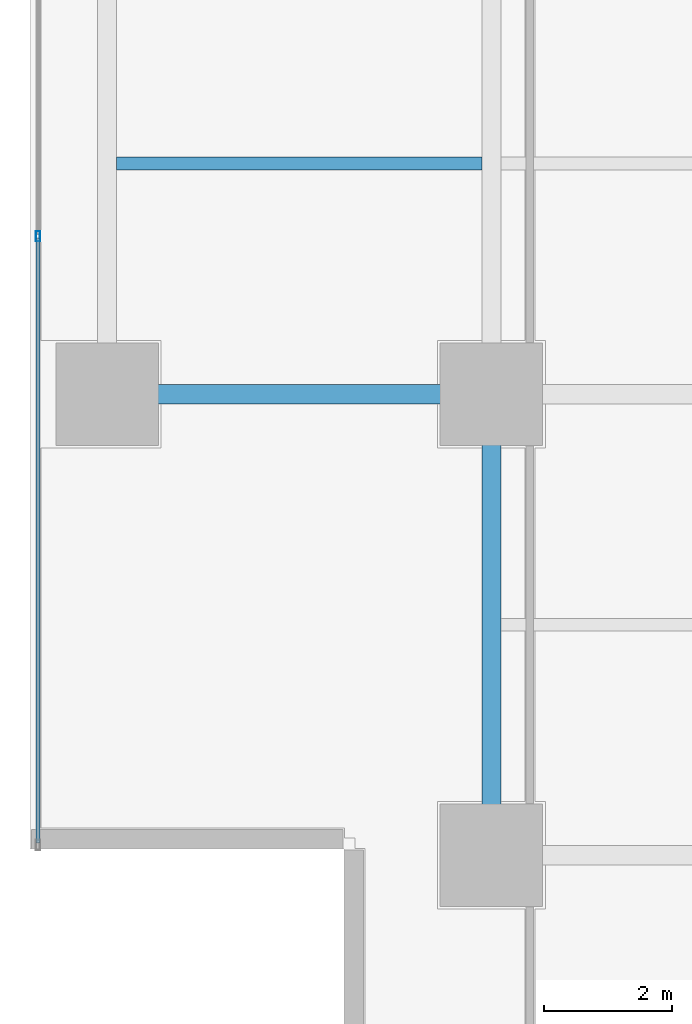
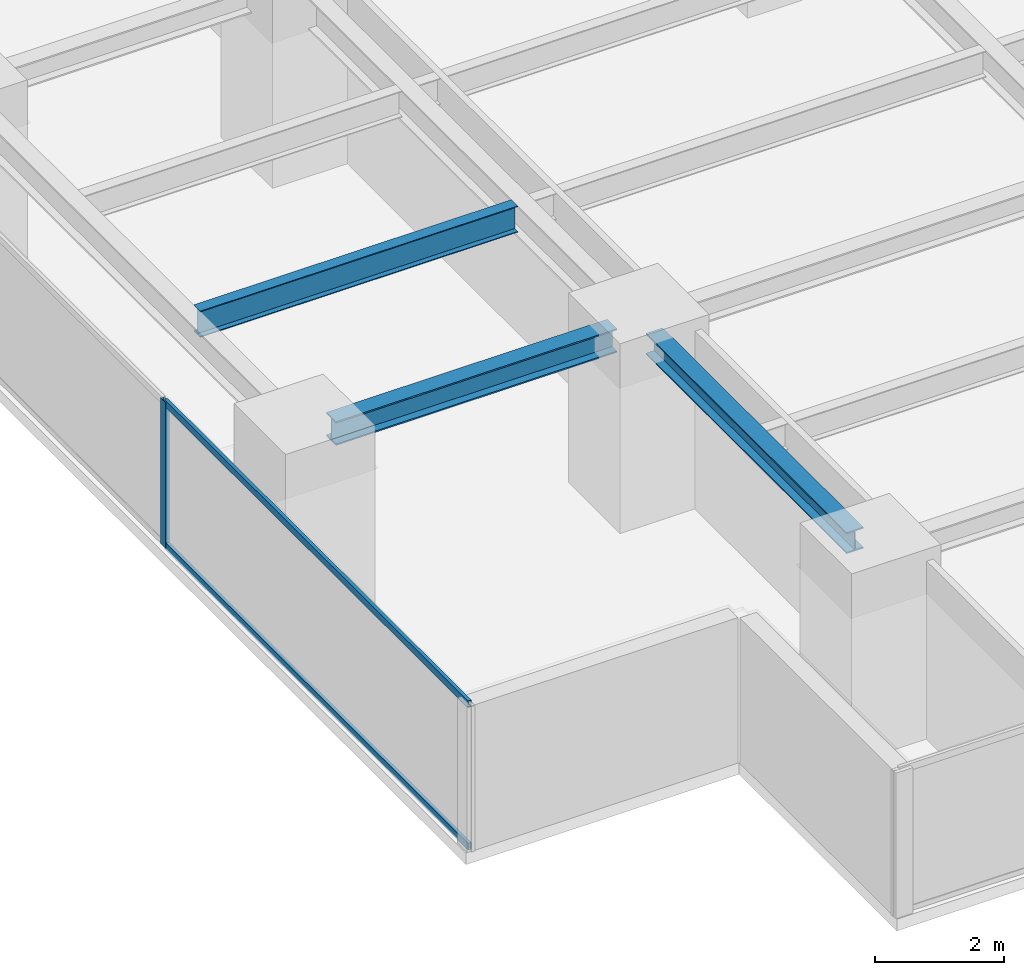
# One storey, part 3 of 27: 3 beams, 3 members, 1 element without a shape of its own.
"""IFC4 building model written with IfcOpenShell, lengths in metres."""

import ifcopenshell
import ifcopenshell.guid

model = None  # the IFC model being written
_history = None  # IfcOwnerHistory: only IFC2X3 demands one
_inside = {}  # id of a spatial element -> (the spatial element, [elements in it])
_under = {}  # id of a project, library or spatial element -> (it, [spatial elements below it])
_declared = {}  # id of a project -> (the project, [libraries it declares])
_typed = {}  # id of a type object -> (the type object, [elements of that type])
_made_of = {}  # id of a material, layer set ... -> (it, [elements and type objects made of it])


def new_model(schema):
    """Start an empty IFC model of exactly this schema.

    Asked for "IFC4X3", IfcOpenShell would pick the latest addendum, in which some entities
    have other attributes; the version numbers below select the first issue.
    IFC2X3 requires an IfcOwnerHistory on every rooted entity: one is made here for all.
    """
    global model, _history
    if schema == "IFC4X3":
        model = ifcopenshell.file(schema_version=(4, 3, 0, 0))
    else:
        model = ifcopenshell.file(schema=schema)
    _inside.clear()
    _under.clear()
    _declared.clear()
    _typed.clear()
    _made_of.clear()
    _history = None
    if model.schema == "IFC2X3":
        org = make("IfcOrganization", Name="unknown")
        user = make(
            "IfcPersonAndOrganization",
            ThePerson=make("IfcPerson", FamilyName="unknown"),
            TheOrganization=org,
        )
        app = make(
            "IfcApplication",
            ApplicationDeveloper=org,
            Version="unknown",
            ApplicationFullName="unknown",
            ApplicationIdentifier="unknown",
        )
        _history = make(
            "IfcOwnerHistory",
            OwningUser=user,
            OwningApplication=app,
            ChangeAction="ADDED",
            CreationDate=0,
        )
    return model


def make(cls, **values):
    """One entity of the class cls with the attributes given. An attribute that is None is left unset."""
    return model.create_entity(
        cls, **{name: value for name, value in values.items() if value is not None}
    )


def rooted(cls, **values):
    """An entity with a GlobalId (a new one), such as an element, a storey or a relation."""
    return make(cls, GlobalId=ifcopenshell.guid.new(), OwnerHistory=_history, **values)


def si_unit(unit_type, name, prefix=None):
    """IfcSIUnit, for example si_unit("LENGTHUNIT", "METRE", prefix="MILLI")."""
    return make("IfcSIUnit", UnitType=unit_type, Prefix=prefix, Name=name)


def assignment(units):
    """IfcUnitAssignment: the units of a project."""
    return None if units is None else make("IfcUnitAssignment", Units=units)


def point(xyz):
    """IfcCartesianPoint."""
    return None if xyz is None else make("IfcCartesianPoint", Coordinates=xyz)


def direction(xyz):
    """IfcDirection."""
    return None if xyz is None else make("IfcDirection", DirectionRatios=xyz)


def frame(location, z_axis=None, x_axis=None):
    """IfcAxis2Placement3D, a coordinate frame: its origin and axes. An axis left out is left unset."""
    return make(
        "IfcAxis2Placement3D",
        Location=point(location),
        Axis=direction(z_axis),
        RefDirection=direction(x_axis),
    )


def frame_2d(location, x_axis=None):
    """IfcAxis2Placement2D, a coordinate frame in the plane: its origin and x axis."""
    return make(
        "IfcAxis2Placement2D", Location=point(location), RefDirection=direction(x_axis)
    )


def origin():
    """The frame at (0, 0, 0) with its axes left unset."""
    return frame((0.0, 0.0, 0.0))


def origin_2d():
    """The frame at (0, 0) in the plane with its x axis left unset."""
    return frame_2d((0.0, 0.0))


def place(relative_to, where):
    """IfcLocalPlacement: puts the frame where relative to a parent placement (None: the world)."""
    return make(
        "IfcLocalPlacement", PlacementRelTo=relative_to, RelativePlacement=where
    )


def context(
    kind, dimensions, precision=None, world=None, true_north=None, identifier=None
):
    """IfcGeometricRepresentationContext, for example the 3D "Model" context."""
    return make(
        "IfcGeometricRepresentationContext",
        ContextIdentifier=identifier,
        ContextType=kind,
        CoordinateSpaceDimension=dimensions,
        Precision=precision,
        WorldCoordinateSystem=world,
        TrueNorth=true_north,
    )


def subcontext(parent, identifier, kind, view, scale=None):
    """IfcGeometricRepresentationSubContext, for example "Body" below "Model"."""
    return make(
        "IfcGeometricRepresentationSubContext",
        ContextIdentifier=identifier,
        ContextType=kind,
        ParentContext=parent,
        TargetScale=scale,
        TargetView=view,
    )


def project(units=None, contexts=None):
    """IfcProject with its units and contexts."""
    return rooted(
        "IfcProject",
        Name="project",
        RepresentationContexts=contexts,
        UnitsInContext=assignment(units),
    )


def spatial(cls, under=None, at=None, **own):
    """A site, building, storey or space (cls), placed at a placement, below another one or the project."""
    s = rooted(cls, ObjectPlacement=at, **own)
    if under is not None:
        _under.setdefault(under.id(), (under, []))[1].append(s)
    return s


def profile(cls, at=None, kind="AREA", **sizes):
    """A parametric profile (cls). Its sizes go by their IFC names, for example OverallWidth=200.0."""
    return make(cls, ProfileType=kind, Position=at, **sizes)


def hollow_rectangle(**sizes):
    """IfcRectangleHollowProfileDef."""
    return profile("IfcRectangleHollowProfileDef", **sizes)


def i_section(**sizes):
    """IfcIShapeProfileDef."""
    return profile("IfcIShapeProfileDef", **sizes)


def extrude(swept, where, along, depth):
    """IfcExtrudedAreaSolid: the profile swept, set in the frame where, extruded along a direction by depth."""
    return make(
        "IfcExtrudedAreaSolid",
        SweptArea=swept,
        Position=where,
        ExtrudedDirection=direction(along),
        Depth=depth,
    )


def shape(context_of_items, identifier, shape_type, items):
    """IfcShapeRepresentation: the items that make up one representation, for example the "Body"."""
    return make(
        "IfcShapeRepresentation",
        ContextOfItems=context_of_items,
        RepresentationIdentifier=identifier,
        RepresentationType=shape_type,
        Items=items,
    )


def source(mapping_origin, context_of_items, identifier, shape_type, items):
    """IfcRepresentationMap: a shape defined once, which mapped items show again and again."""
    return make(
        "IfcRepresentationMap",
        MappingOrigin=mapping_origin,
        MappedRepresentation=shape(context_of_items, identifier, shape_type, items),
    )


def transform(
    local_origin,
    x_axis=None,
    y_axis=None,
    z_axis=None,
    scale=None,
    scale2=None,
    scale3=None,
    uniform=True,
):
    """IfcCartesianTransformationOperator3D, or its non-uniform kind. x_axis, y_axis, z_axis: its Axis1, 2, 3."""
    if uniform:
        return make(
            "IfcCartesianTransformationOperator3D",
            Axis1=direction(x_axis),
            Axis2=direction(y_axis),
            LocalOrigin=point(local_origin),
            Scale=scale,
            Axis3=direction(z_axis),
        )
    return make(
        "IfcCartesianTransformationOperator3DnonUniform",
        Axis1=direction(x_axis),
        Axis2=direction(y_axis),
        LocalOrigin=point(local_origin),
        Scale=scale,
        Axis3=direction(z_axis),
        Scale2=scale2,
        Scale3=scale3,
    )


def mapped(mapping_source, mapping_target):
    """IfcMappedItem: shows the shape of a source again, moved by a transform."""
    return make(
        "IfcMappedItem", MappingSource=mapping_source, MappingTarget=mapping_target
    )


def material(Name=None, Category=None):
    """IfcMaterial."""
    return make("IfcMaterial", Name=Name, Category=Category)


def layer(
    of_material, thickness, ventilated=None, Name=None, Category=None, Priority=None
):
    """IfcMaterialLayer: one layer of a wall or slab, of a material (None: an air gap)."""
    return make(
        "IfcMaterialLayer",
        Material=of_material,
        LayerThickness=thickness,
        IsVentilated=ventilated,
        Name=Name,
        Category=Category,
        Priority=Priority,
    )


def layer_set(layers, Name=None):
    """IfcMaterialLayerSet."""
    return make("IfcMaterialLayerSet", MaterialLayers=layers, LayerSetName=Name)


def material_profile(
    of_material, cross_section, Name=None, Category=None, Priority=None
):
    """IfcMaterialProfile: a cross section and its material."""
    return make(
        "IfcMaterialProfile",
        Name=Name,
        Material=of_material,
        Profile=cross_section,
        Priority=Priority,
        Category=Category,
    )


def profile_set(profiles, Name=None, composite=None):
    """IfcMaterialProfileSet."""
    return make(
        "IfcMaterialProfileSet",
        Name=Name,
        MaterialProfiles=profiles,
        CompositeProfile=composite,
    )


def made_of(thing, what):
    """Note that an element or type object is made of a material, layer set ...; save() writes the relation."""
    if what is not None:
        _made_of.setdefault(what.id(), (what, []))[1].append(thing)
    return thing


def type_object(cls, material=None, **own):
    """A type object (cls), such as IfcWallType, which elements share."""
    return made_of(rooted(cls, **own), material)


def element(
    cls,
    number,
    at=None,
    inside=None,
    cuts=None,
    type_object=None,
    material=None,
    context=None,
    identifier="Body",
    shape_type=None,
    held_by="IfcProductDefinitionShape",
    body=None,
    shapes=None,
    **own,
):
    """One element of the class cls, such as IfcWall. Its Tag is "e" and its number.

    at: its placement. inside: the storey or other place that contains it. cuts: it is an
    opening in that element (IfcRelVoidsElement). A single representation is given by context,
    identifier, shape_type and body (its items); several are given by shapes. held_by: the class
    of the entity that holds the representations. save() writes the other relations.
    """
    e = rooted(cls, Tag="e%d" % number, ObjectPlacement=at, **own)
    if body is not None:
        shapes = [shape(context, identifier, shape_type, body)]
    if shapes is not None:
        e.Representation = make(held_by, Representations=shapes)
    if inside is not None:
        _inside.setdefault(inside.id(), (inside, []))[1].append(e)
    if cuts is not None:
        rooted(
            "IfcRelVoidsElement", RelatingBuildingElement=cuts, RelatedOpeningElement=e
        )
    if type_object is not None:
        _typed.setdefault(type_object.id(), (type_object, []))[1].append(e)
    return made_of(e, material)


def aggregate(whole, parts):
    """IfcRelAggregates: a whole, such as a stair, and the parts it consists of."""
    return rooted("IfcRelAggregates", RelatingObject=whole, RelatedObjects=parts)


def save(model, path):
    """Write the relations noted so far, then the file.

    IfcRelAggregates (storeys below a building ...), IfcRelContainedInSpatialStructure (elements
    in a storey), IfcRelDefinesByType, IfcRelAssociatesMaterial and IfcRelDeclares: one each for
    every whole, place, type object, material and project.
    """
    for whole, parts in _under.values():
        aggregate(whole, parts)
    for where, things in _inside.values():
        rooted(
            "IfcRelContainedInSpatialStructure",
            RelatedElements=things,
            RelatingStructure=where,
        )
    for kind, things in _typed.values():
        rooted("IfcRelDefinesByType", RelatedObjects=things, RelatingType=kind)
    for what, things in _made_of.values():
        rooted("IfcRelAssociatesMaterial", RelatedObjects=things, RelatingMaterial=what)
    for by, libraries in _declared.values():
        rooted("IfcRelDeclares", RelatingContext=by, RelatedDefinitions=libraries)
    model.write(path)


model = new_model("IFC4")

# Units and contexts
model_context = context("Model", 3, precision=1e-05, world=origin(), true_north=direction((0.0, 1.0)))
body_context = subcontext(model_context, "Body", "Model", "MODEL_VIEW")
ifc_project = project(units=[si_unit("LENGTHUNIT", "METRE"), si_unit("AREAUNIT", "SQUARE_METRE"), si_unit("VOLUMEUNIT", "CUBIC_METRE"), si_unit("PLANEANGLEUNIT", "RADIAN"), si_unit("MASSUNIT", "GRAM", prefix="KILO")], contexts=[model_context])

# Site, building, storey
site_placement = place(None, origin())
site = spatial("IfcSite", under=ifc_project, at=site_placement, CompositionType="ELEMENT")
building_placement = place(site_placement, origin())
building = spatial("IfcBuilding", under=site, at=building_placement, Name="Sumidabori Civic Tower", CompositionType="ELEMENT")
storey_placement = place(building_placement, frame((0.0, 0.0, 135.199951171875)))
storey = spatial("IfcBuildingStorey", under=building, at=storey_placement, Name="L34", CompositionType="ELEMENT", Elevation=135.199951171875)

# Beams
ifc_material_1 = material(Name="Steel SN490", Category="steel")
ifc_material_profile_1 = material_profile(ifc_material_1, i_section(OverallWidth=0.300048828125, OverallDepth=0.39990234375, WebThickness=0.013427734375, FlangeThickness=0.02392578125, at=origin_2d()), Name="HE 400 B")
ifc_profile_set_1 = profile_set([ifc_material_profile_1], Name="Steel SN490")
beam_type_1 = type_object("IfcBeamType", Name="BM-GIRD-400", PredefinedType="BEAM", material=ifc_profile_set_1)
shared_shape_1 = source(origin(), body_context, "Body", "SweptSolid", [
    extrude(i_section(OverallWidth=0.300048828125, OverallDepth=0.39990234375, WebThickness=0.013427734375, FlangeThickness=0.02392578125, at=origin_2d()), origin(), (0.0, 0.0, 1.0), 6.239990234375),
])
beam_1_placement = place(storey_placement, frame((-16.800048828125, -17.52001953125, 3.179931640625), z_axis=(0.0, 1.0, 0.0), x_axis=(-1.0, 0.0, 0.0)))
element("IfcBeam", 1, at=beam_1_placement, inside=storey, type_object=beam_type_1, Name="Primary Girder L34 GY-22", PredefinedType="BEAM", context=body_context, shape_type="MappedRepresentation", body=[
    mapped(shared_shape_1, transform((0.0, 0.0, 0.0), x_axis=(1.0, 0.0, 0.0), y_axis=(0.0, 1.0, 0.0), z_axis=(0.0, 0.0, 1.0), scale=1.0)),
])
ifc_material_profile_2 = material_profile(ifc_material_1, i_section(OverallWidth=0.199951171875, OverallDepth=0.5, WebThickness=0.01025390625, FlangeThickness=0.01611328125, at=origin_2d()), Name="IPE 500")
ifc_profile_set_2 = profile_set([ifc_material_profile_2], Name="Steel SN490")
beam_type_2 = type_object("IfcBeamType", Name="BM-JST-500", PredefinedType="JOIST", material=ifc_profile_set_2)
shared_shape_2 = source(origin(), body_context, "Body", "SweptSolid", [
    extrude(i_section(OverallWidth=0.199951171875, OverallDepth=0.5, WebThickness=0.01025390625, FlangeThickness=0.01611328125, at=origin_2d()), origin(), (0.0, 0.0, 1.0), 5.699951171875),
])
beam_2_placement = place(storey_placement, frame((-22.64990234375, -7.199951171875, 3.130126953125), z_axis=(1.0, 0.0, 0.0), x_axis=(0.0, 1.0, 0.0)))
element("IfcBeam", 2, at=beam_2_placement, inside=storey, type_object=beam_type_2, Name="Outer Bay Floor Joist L34 JSTO-39", PredefinedType="JOIST", context=body_context, shape_type="MappedRepresentation", body=[
    mapped(shared_shape_2, transform((0.0, 0.0, 0.0), x_axis=(1.0, 0.0, 0.0), y_axis=(0.0, 1.0, 0.0), z_axis=(0.0, 0.0, 1.0), scale=1.0)),
])
ifc_material_profile_3 = material_profile(ifc_material_1, i_section(OverallWidth=0.300048828125, OverallDepth=0.449951171875, WebThickness=0.013916015625, FlangeThickness=0.02587890625, at=origin_2d()), Name="HE 450 B")
ifc_profile_set_3 = profile_set([ifc_material_profile_3], Name="Steel SN490")
beam_type_3 = type_object("IfcBeamType", Name="BM-GIRD-450", PredefinedType="BEAM", material=ifc_profile_set_3)
shared_shape_3 = source(origin(), body_context, "Body", "SweptSolid", [
    extrude(i_section(OverallWidth=0.300048828125, OverallDepth=0.449951171875, WebThickness=0.013916015625, FlangeThickness=0.02587890625, at=origin_2d()), origin(), (0.0, 0.0, 1.0), 5.0400390625),
])
beam_3_placement = place(storey_placement, frame((-22.320068359375, -10.800048828125, 3.155029296875), z_axis=(1.0, 0.0, 0.0), x_axis=(0.0, 1.0, 0.0)))
element("IfcBeam", 3, at=beam_3_placement, inside=storey, type_object=beam_type_3, Name="Primary Girder L34 GX-05", PredefinedType="BEAM", context=body_context, shape_type="MappedRepresentation", body=[
    mapped(shared_shape_3, transform((0.0, 0.0, 0.0), x_axis=(1.0, 0.0, 0.0), y_axis=(0.0, 1.0, 0.0), z_axis=(0.0, 0.0, 1.0), scale=1.0)),
])

# Curtain wall, members
ifc_material_2 = material(Name="Anodised Bronze Aluminium AW-6063-T6", Category="aluminium")
ifc_layer = layer(ifc_material_2, 0.179931640625, Name="Anodised Bronze Aluminium AW-6063-T6")
ifc_layer_set = layer_set([ifc_layer], Name="Anodised Bronze Aluminium AW-6063-T6")
curtain_wall_type = type_object("IfcCurtainWallType", Name="CW-SYS-3", PredefinedType="NOTDEFINED", material=ifc_layer_set)
curtain_wall_placement = place(storey_placement, origin())
curtain_wall = element("IfcCurtainWall", 4, at=curtain_wall_placement, inside=storey, type_object=curtain_wall_type, Name="Curtain Wall CW:L34:R10", PredefinedType="NOTDEFINED")
ifc_material_profile_4 = material_profile(ifc_material_2, hollow_rectangle(XDim=0.06494140625, YDim=0.159912109375, WallThickness=0.0048828125, at=origin_2d()), Name="ALU MULLION 160x65")
ifc_profile_set_4 = profile_set([ifc_material_profile_4], Name="Anodised Bronze Aluminium AW-6063-T6")
member_type_1 = type_object("IfcMemberType", Name="CW-MUL-160", PredefinedType="MULLION", material=ifc_profile_set_4)
shared_shape_4 = source(origin(), body_context, "Body", "SweptSolid", [
    extrude(hollow_rectangle(XDim=0.06494140625, YDim=0.159912109375, WallThickness=0.0048828125, at=origin_2d()), origin(), (0.0, 0.0, 1.0), 2.760009765625),
])
member_1_placement = place(storey_placement, frame((-23.8798828125, -8.3349609375, 0.0), z_axis=(0.0, 0.0, 1.0), x_axis=(1.0, 0.0, 0.0)))
member_1 = element("IfcMember", 5, at=member_1_placement, type_object=member_type_1, Name="CW-3 mullion 4", PredefinedType="MULLION", context=body_context, shape_type="MappedRepresentation", body=[
    mapped(shared_shape_4, transform((0.0, 0.0, 0.0), x_axis=(1.0, 0.0, 0.0), y_axis=(0.0, 1.0, 0.0), z_axis=(0.0, 0.0, 1.0), scale=1.0)),
])
ifc_material_profile_5 = material_profile(ifc_material_2, hollow_rectangle(XDim=0.06005859375, YDim=0.1298828125, WallThickness=0.0048828125, at=origin_2d()), Name="ALU TRANSOM 130x60")
ifc_profile_set_5 = profile_set([ifc_material_profile_5], Name="Anodised Bronze Aluminium AW-6063-T6")
member_type_2 = type_object("IfcMemberType", Name="CW-TRN-130", PredefinedType="USERDEFINED", material=ifc_profile_set_5)
shared_shape_5 = source(origin(), body_context, "Body", "SweptSolid", [
    extrude(hollow_rectangle(XDim=0.06005859375, YDim=0.1298828125, WallThickness=0.0048828125, at=origin_2d()), origin(), (0.0, 0.0, 1.0), 9.4375),
])
member_2_placement = place(storey_placement, frame((-23.8798828125, -8.367431640625, 0.030029296875), z_axis=(0.0, -1.0, 0.0), x_axis=(1.0, 0.0, 0.0)))
member_2 = element("IfcMember", 6, at=member_2_placement, type_object=member_type_2, Name="CW-3 transom 4.1", ObjectType="TRANSOM", PredefinedType="USERDEFINED", context=body_context, shape_type="MappedRepresentation", body=[
    mapped(shared_shape_5, transform((0.0, 0.0, 0.0), x_axis=(1.0, 0.0, 0.0), y_axis=(0.0, 1.0, 0.0), z_axis=(0.0, 0.0, 1.0), scale=1.0)),
])
member_3_placement = place(storey_placement, frame((-23.8798828125, -8.367431640625, 2.72998046875), z_axis=(0.0, -1.0, 0.0), x_axis=(1.0, 0.0, 0.0)))
member_3 = element("IfcMember", 7, at=member_3_placement, type_object=member_type_2, Name="CW-3 transom 4.2", ObjectType="TRANSOM", PredefinedType="USERDEFINED", context=body_context, shape_type="MappedRepresentation", body=[
    mapped(shared_shape_5, transform((0.0, 0.0, 0.0), x_axis=(1.0, 0.0, 0.0), y_axis=(0.0, 1.0, 0.0), z_axis=(0.0, 0.0, 1.0), scale=1.0)),
])
aggregate(curtain_wall, [member_1, member_2, member_3])

save(model, "model.ifc")
